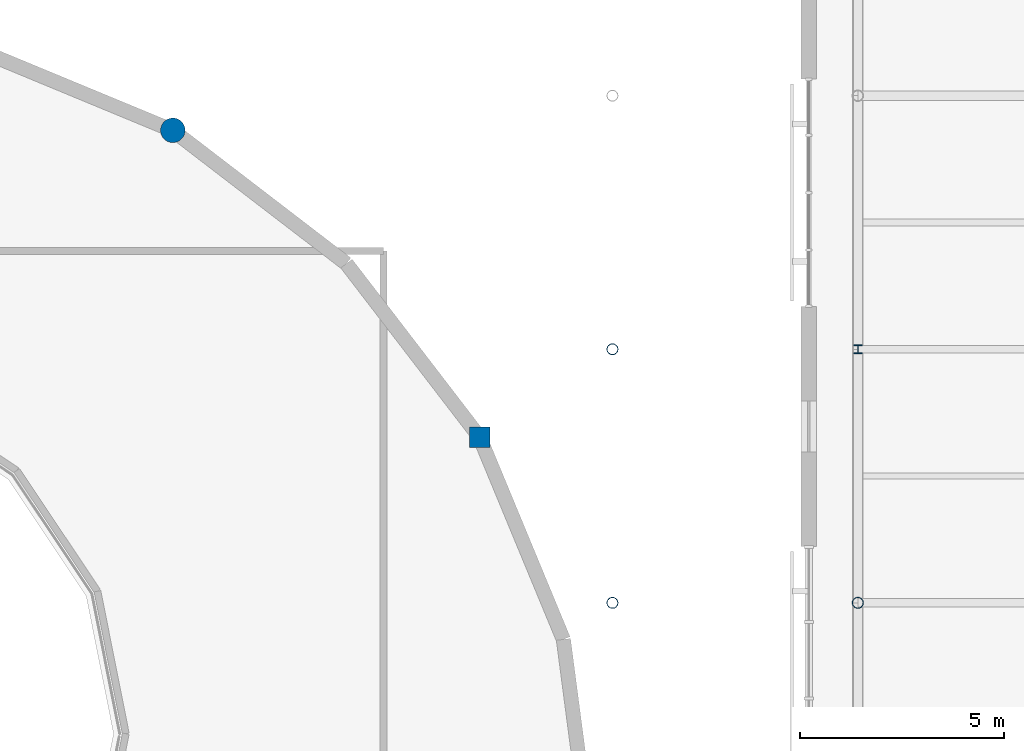
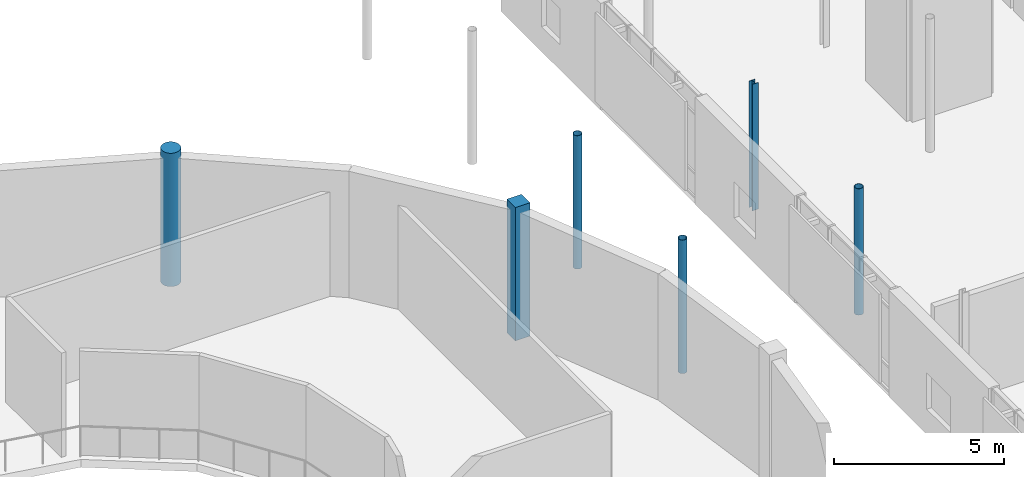
# One storey, part 10 of 66: 6 columns.
"""IFC4 building model written with IfcOpenShell, lengths in metres."""

from ifc_helpers import new_model, si_unit, direction, frame, origin, origin_2d, place, context, subcontext, project, spatial, rectangle, circle, hollow_circle, i_section, extrude, material, material_profile, profile_set, type_object, element, save


model = new_model("IFC4")

# Units and contexts
model_context = context("Model", 3, precision=1e-05, world=origin(), true_north=direction((0.0, 1.0)))
body_context = subcontext(model_context, "Body", "Model", "MODEL_VIEW")
ifc_project = project(units=[si_unit("LENGTHUNIT", "METRE"), si_unit("AREAUNIT", "SQUARE_METRE"), si_unit("VOLUMEUNIT", "CUBIC_METRE"), si_unit("PLANEANGLEUNIT", "RADIAN"), si_unit("MASSUNIT", "GRAM", prefix="KILO")], contexts=[model_context])

# Site, building, storey
site_placement = place(None, origin())
site = spatial("IfcSite", under=ifc_project, at=site_placement, CompositionType="ELEMENT")
building_placement = place(site_placement, origin())
building = spatial("IfcBuilding", under=site, at=building_placement, Name="Mirzam Square Science Centre", CompositionType="ELEMENT")
storey_placement = place(building_placement, frame((0.0, 0.0, 15.60009765625)))
storey = spatial("IfcBuildingStorey", under=building, at=storey_placement, Name="L03", CompositionType="ELEMENT", Elevation=15.60009765625)

# Columns
ifc_material_1 = material(Name="Steel S355", Category="steel")
ifc_material_profile_1 = material_profile(ifc_material_1, hollow_circle(Radius=0.136474609375, WallThickness=0.010009765625, at=origin_2d()), Name="273.0x10.0CHS")
ifc_profile_set_1 = profile_set([ifc_material_profile_1], Name="Steel S355")
column_type_1 = type_object("IfcColumnType", Name="COL-CHS273", PredefinedType="COLUMN", material=ifc_profile_set_1)
for number, where, z_axis, x_axis, name in (
    (1, (102.0, 68.199951171875, 0.0), (0.0, 0.0, 1.0), (1.0, 0.0, 0.0), "L03 column G18-12"),
    (2, (102.0, 74.39990234375, 0.0), (0.0, 0.0, 1.0), (1.0, 0.0, 0.0), "L03 column G18-13"),
):
    element("IfcColumn", number, at=place(storey_placement, frame(where, z_axis=z_axis, x_axis=x_axis)), inside=storey, type_object=column_type_1, Name=name, PredefinedType="COLUMN", context=body_context, shape_type="SweptSolid", body=[
        extrude(hollow_circle(Radius=0.136474609375, WallThickness=0.010009765625, at=origin_2d()), origin(), (0.0, 0.0, 1.0), 4.7998046875),
    ])
column_1_placement = place(storey_placement, frame((108.0, 68.199951171875, 0.0), z_axis=(0.0, 0.0, 1.0), x_axis=(1.0, 0.0, 0.0)))
element("IfcColumn", 3, at=column_1_placement, inside=storey, type_object=column_type_1, Name="L03 column G19-12", PredefinedType="COLUMN", context=body_context, shape_type="SweptSolid", body=[
    extrude(hollow_circle(Radius=0.136474609375, WallThickness=0.010009765625, at=origin_2d()), origin(), (0.0, 0.0, 1.0), 4.5498046875),
])
ifc_material_profile_2 = material_profile(ifc_material_1, i_section(OverallWidth=0.205810546875, OverallDepth=0.209716796875, WebThickness=0.009521484375, FlangeThickness=0.01416015625, FilletRadius=0.01025390625, at=origin_2d()), Name="203x203x60UC")
ifc_profile_set_2 = profile_set([ifc_material_profile_2], Name="Steel S355")
column_type_2 = type_object("IfcColumnType", Name="COL-UC203A", PredefinedType="COLUMN", material=ifc_profile_set_2)
column_2_placement = place(storey_placement, frame((108.0, 74.39990234375, 0.0), z_axis=(0.0, 0.0, 1.0), x_axis=(1.0, 0.0, 0.0)))
element("IfcColumn", 4, at=column_2_placement, inside=storey, type_object=column_type_2, Name="L03 column G19-13", PredefinedType="COLUMN", context=body_context, shape_type="SweptSolid", body=[
    extrude(i_section(OverallWidth=0.205810546875, OverallDepth=0.209716796875, WebThickness=0.009521484375, FlangeThickness=0.01416015625, FilletRadius=0.01025390625, at=origin_2d()), origin(), (0.0, 0.0, 1.0), 4.5498046875),
])
ifc_material_2 = material(Name="Concrete C45/55", Category="concrete")
ifc_material_profile_3 = material_profile(ifc_material_2, rectangle(XDim=0.5, YDim=0.5, at=origin_2d()), Name="RC500x500")
ifc_profile_set_3 = profile_set([ifc_material_profile_3], Name="Concrete C45/55")
column_type_3 = type_object("IfcColumnType", Name="PIL-RC500", PredefinedType="PILASTER", material=ifc_profile_set_3)
column_3_placement = place(storey_placement, frame((98.75341796875, 72.25, 0.0), z_axis=(0.0, 0.0, 1.0), x_axis=(1.0, 0.0, 0.0)))
element("IfcColumn", 5, at=column_3_placement, inside=storey, type_object=column_type_3, Name="L03 drum pilaster 03", PredefinedType="PILASTER", context=body_context, shape_type="SweptSolid", body=[
    extrude(rectangle(XDim=0.5, YDim=0.5, at=origin_2d()), origin(), (0.0, 0.0, 1.0), 4.7998046875),
])
ifc_material_profile_4 = material_profile(ifc_material_2, circle(Radius=0.300048828125, at=origin_2d()), Name="RCD600")
ifc_profile_set_4 = profile_set([ifc_material_profile_4], Name="Concrete C45/55")
column_type_4 = type_object("IfcColumnType", Name="PIL-RCD600", PredefinedType="PILASTER", material=ifc_profile_set_4)
column_4_placement = place(storey_placement, frame((91.25, 79.75341796875, 0.0), z_axis=(0.0, 0.0, 1.0), x_axis=(1.0, 0.0, 0.0)))
element("IfcColumn", 6, at=column_4_placement, inside=storey, type_object=column_type_4, Name="L03 drum pilaster 05", PredefinedType="PILASTER", context=body_context, shape_type="SweptSolid", body=[
    extrude(circle(Radius=0.300048828125, at=origin_2d()), origin(), (0.0, 0.0, 1.0), 4.7998046875),
])

save(model, "model.ifc")
